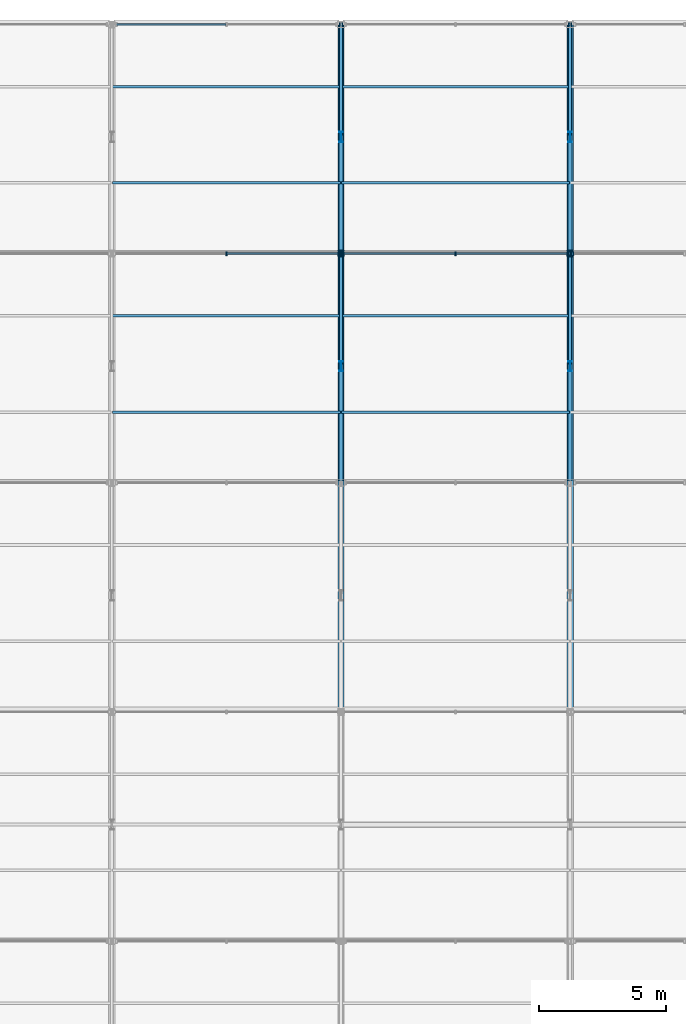
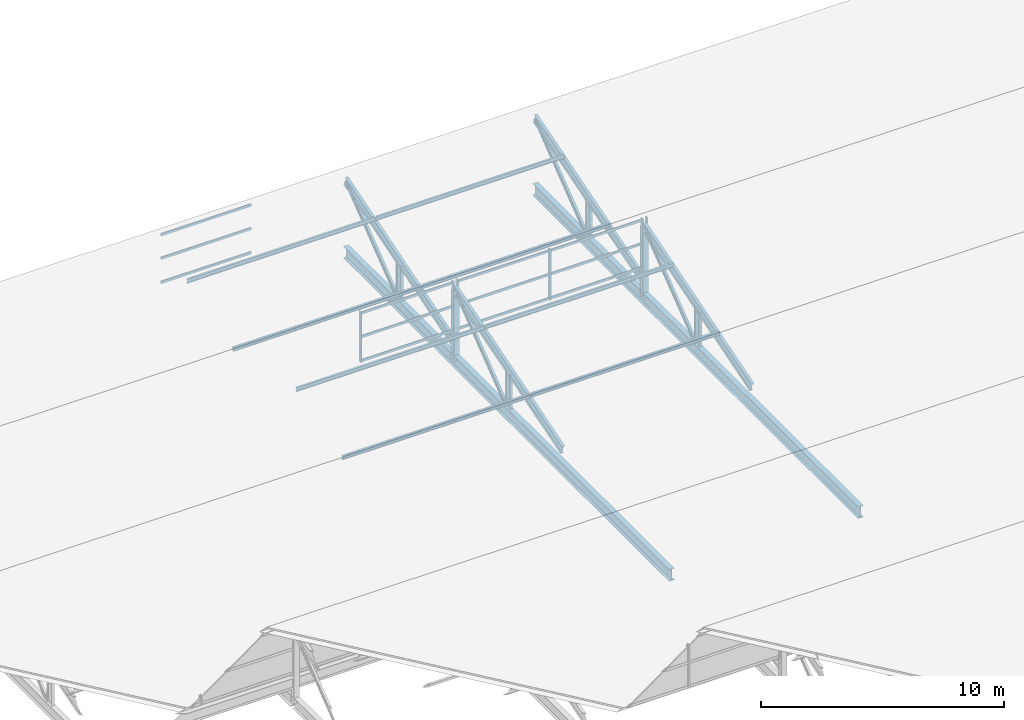
# One storey, part 94 of 163: 40 members, 2 beams, 4 elements without a shape of their own.
"""IFC4 building model written with IfcOpenShell, lengths in metres."""

from ifc_helpers import new_model, si_unit, direction, frame, origin, origin_2d, place, context, subcontext, project, spatial, rectangle, i_section, extrude, material, material_profile, profile_set, type_object, element, aggregate, save


model = new_model("IFC4")

# Units and contexts
model_context = context("Model", 3, precision=1e-05, world=origin(), true_north=direction((0.0, 1.0)))
body_context = subcontext(model_context, "Body", "Model", "MODEL_VIEW")
ifc_project = project(units=[si_unit("LENGTHUNIT", "METRE"), si_unit("AREAUNIT", "SQUARE_METRE"), si_unit("VOLUMEUNIT", "CUBIC_METRE"), si_unit("PLANEANGLEUNIT", "RADIAN"), si_unit("MASSUNIT", "GRAM", prefix="KILO")], contexts=[model_context])

# Site, building, storey
site_placement = place(None, origin())
site = spatial("IfcSite", under=ifc_project, at=site_placement, CompositionType="ELEMENT")
building_placement = place(site_placement, origin())
building = spatial("IfcBuilding", under=site, at=building_placement, Name="Tharagai Park Tramway Depot", CompositionType="ELEMENT")
storey_placement = place(building_placement, frame((0.0, 0.0, 8.39990234375)))
storey = spatial("IfcBuildingStorey", under=building, at=storey_placement, Name="L02", CompositionType="ELEMENT", Elevation=8.39990234375)

# Beams
ifc_material_1 = material(Name="Steel E350", Category="steel")
ifc_material_profile_1 = material_profile(ifc_material_1, i_section(OverallWidth=0.25, OverallDepth=0.60009765625, WebThickness=0.01171875, FlangeThickness=0.023681640625, FilletRadius=0.01708984375, at=origin_2d()), Name="ISWB 600")
ifc_profile_set_1 = profile_set([ifc_material_profile_1], Name="Steel E350")
beam_type = type_object("IfcBeamType", Name="BM-01", PredefinedType="BEAM", material=ifc_profile_set_1)
for number, where, z_axis, x_axis, name in (
    (1, (36.0, 117.080078125, -0.25), (0.0, 1.0, 0.0), (-1.0, 0.0, 0.0), "Sawtooth Truss Bottom Tie Girder BM-01"),
    (2, (45.0, 117.080078125, -0.25), (0.0, 1.0, 0.0), (-1.0, 0.0, 0.0), "Sawtooth Truss Bottom Tie Girder BM-01"),
):
    element("IfcBeam", number, at=place(storey_placement, frame(where, z_axis=z_axis, x_axis=x_axis)), inside=storey, type_object=beam_type, Name=name, PredefinedType="BEAM", context=body_context, shape_type="SweptSolid", body=[
        extrude(i_section(OverallWidth=0.25, OverallDepth=0.60009765625, WebThickness=0.01171875, FlangeThickness=0.023681640625, FilletRadius=0.01708984375, at=origin_2d()), origin(), (0.0, 0.0, 1.0), 26.83984375),
    ])

# Members
ifc_material_profile_2 = material_profile(ifc_material_1, i_section(OverallWidth=0.25, OverallDepth=0.25, WebThickness=0.0087890625, FlangeThickness=0.009765625, FilletRadius=0.010009765625, at=origin_2d()), Name="ISHB 250")
ifc_profile_set_2 = profile_set([ifc_material_profile_2], Name="Steel E350")
member_type_1 = type_object("IfcMemberType", Name="BR-01", PredefinedType="BRACE", material=ifc_profile_set_2)
for number, where, z_axis, x_axis, name in (
    (3, (36.0, 134.919921875, -0.25), (0.0, 0.0, 1.0), (1.0, 0.0, 0.0), "Sawtooth North Vertical Post BR-01"),
    (4, (45.0, 134.919921875, -0.25), (0.0, 0.0, 1.0), (1.0, 0.0, 0.0), "Sawtooth North Vertical Post BR-01"),
):
    element("IfcMember", number, at=place(storey_placement, frame(where, z_axis=z_axis, x_axis=x_axis)), inside=storey, type_object=member_type_1, Name=name, PredefinedType="BRACE", context=body_context, shape_type="SweptSolid", body=[
        extrude(i_section(OverallWidth=0.25, OverallDepth=0.25, WebThickness=0.0087890625, FlangeThickness=0.009765625, FilletRadius=0.010009765625, at=origin_2d()), origin(), (0.0, 0.0, 1.0), 3.55517578125),
    ])
ifc_material_profile_3 = material_profile(ifc_material_1, i_section(OverallWidth=0.110107421875, OverallDepth=0.22509765625, WebThickness=0.006591796875, FlangeThickness=0.01171875, FilletRadius=0.011962890625, at=origin_2d()), Name="ISMB 225")
ifc_profile_set_3 = profile_set([ifc_material_profile_3], Name="Steel E350")
member_type_2 = type_object("IfcMemberType", Name="BR-04", PredefinedType="BRACE", material=ifc_profile_set_3)
for number, where, z_axis, x_axis, name in (
    (5, (36.0, 130.64990234375, 0.0), (0.0, 0.790781596, 0.612098413188), (-1.0, 0.0, 0.0), "Sawtooth Truss Web Diagonal BR-04"),
    (6, (36.0, 139.64990234375, 0.0), (0.0, 0.790781596, 0.612098413188), (-1.0, 0.0, 0.0), "Sawtooth Truss Web Diagonal BR-04"),
    (7, (45.0, 130.64990234375, 0.0), (0.0, 0.790781596, 0.612098413188), (-1.0, 0.0, 0.0), "Sawtooth Truss Web Diagonal BR-04"),
    (8, (45.0, 139.64990234375, 0.0), (0.0, 0.790781596, 0.612098413188), (-1.0, 0.0, 0.0), "Sawtooth Truss Web Diagonal BR-04"),
):
    element("IfcMember", number, at=place(storey_placement, frame(where, z_axis=z_axis, x_axis=x_axis)), inside=storey, type_object=member_type_2, Name=name, PredefinedType="BRACE", context=body_context, shape_type="SweptSolid", body=[
        extrude(i_section(OverallWidth=0.110107421875, OverallDepth=0.22509765625, WebThickness=0.006591796875, FlangeThickness=0.01171875, FilletRadius=0.011962890625, at=origin_2d()), origin(), (0.0, 0.0, 1.0), 5.399658203125),
    ])

# Curtain wall, members
ifc_material_2 = material(Name="Anodised aluminium", Category="aluminium")
curtain_wall_type_1 = type_object("IfcCurtainWallType", Name="CW-04", PredefinedType="NOTDEFINED", material=ifc_material_2)
curtain_wall_1_placement = place(storey_placement, origin())
curtain_wall_1 = element("IfcCurtainWall", 9, at=curtain_wall_1_placement, inside=storey, type_object=curtain_wall_type_1, Name="Sawtooth North-Light Clerestory CW-04", PredefinedType="NOTDEFINED")
ifc_material_profile_4 = material_profile(ifc_material_2, rectangle(XDim=0.06494140625, YDim=0.1201171875, at=origin_2d()), Name="ALU 65x120")
ifc_profile_set_4 = profile_set([ifc_material_profile_4], Name="Anodised aluminium")
member_type_3 = type_object("IfcMemberType", Name="CM-01", PredefinedType="USERDEFINED", material=ifc_profile_set_4)
member_1_placement = place(storey_placement, frame((31.514892578125, 134.919921875, 1.26513671875), z_axis=(1.0, 0.0, 0.0), x_axis=(0.0, 1.0, 0.0)))
member_1 = element("IfcMember", 10, at=member_1_placement, type_object=member_type_3, Name="Sawtooth North-Light Clerestory Transom 2.1", ObjectType="TRANSOM", PredefinedType="USERDEFINED", context=body_context, shape_type="SweptSolid", body=[
    extrude(rectangle(XDim=0.06494140625, YDim=0.1201171875, at=origin_2d()), origin(), (0.0, 0.0, 1.0), 4.3701171875),
])
member_2_placement = place(storey_placement, frame((31.514892578125, 134.919921875, 2.4736328125), z_axis=(1.0, 0.0, 0.0), x_axis=(0.0, 1.0, 0.0)))
member_2 = element("IfcMember", 11, at=member_2_placement, type_object=member_type_3, Name="Sawtooth North-Light Clerestory Transom 2.2", ObjectType="TRANSOM", PredefinedType="USERDEFINED", context=body_context, shape_type="SweptSolid", body=[
    extrude(rectangle(XDim=0.06494140625, YDim=0.1201171875, at=origin_2d()), origin(), (0.0, 0.0, 1.0), 4.3701171875),
])
member_3_placement = place(storey_placement, frame((31.514892578125, 134.919921875, 3.662353515625), z_axis=(1.0, 0.0, 0.0), x_axis=(0.0, 1.0, 0.0)))
member_3 = element("IfcMember", 12, at=member_3_placement, type_object=member_type_3, Name="Sawtooth North-Light Clerestory Transom 2.3", ObjectType="TRANSOM", PredefinedType="USERDEFINED", context=body_context, shape_type="SweptSolid", body=[
    extrude(rectangle(XDim=0.06494140625, YDim=0.1201171875, at=origin_2d()), origin(), (0.0, 0.0, 1.0), 4.3701171875),
])

curtain_wall_2_placement = place(storey_placement, origin())
curtain_wall_2 = element("IfcCurtainWall", 13, at=curtain_wall_2_placement, inside=storey, type_object=curtain_wall_type_1, Name="Sawtooth North-Light Clerestory CW-04", PredefinedType="NOTDEFINED")
member_4_placement = place(storey_placement, frame((36.114990234375, 134.919921875, 1.26513671875), z_axis=(1.0, 0.0, 0.0), x_axis=(0.0, 1.0, 0.0)))
member_4 = element("IfcMember", 14, at=member_4_placement, type_object=member_type_3, Name="Sawtooth North-Light Clerestory Transom 1.1", ObjectType="TRANSOM", PredefinedType="USERDEFINED", context=body_context, shape_type="SweptSolid", body=[
    extrude(rectangle(XDim=0.06494140625, YDim=0.1201171875, at=origin_2d()), origin(), (0.0, 0.0, 1.0), 4.3701171875),
])
member_5_placement = place(storey_placement, frame((36.114990234375, 134.919921875, 2.4736328125), z_axis=(1.0, 0.0, 0.0), x_axis=(0.0, 1.0, 0.0)))
member_5 = element("IfcMember", 15, at=member_5_placement, type_object=member_type_3, Name="Sawtooth North-Light Clerestory Transom 1.2", ObjectType="TRANSOM", PredefinedType="USERDEFINED", context=body_context, shape_type="SweptSolid", body=[
    extrude(rectangle(XDim=0.06494140625, YDim=0.1201171875, at=origin_2d()), origin(), (0.0, 0.0, 1.0), 4.3701171875),
])
member_6_placement = place(storey_placement, frame((36.114990234375, 134.919921875, 3.662353515625), z_axis=(1.0, 0.0, 0.0), x_axis=(0.0, 1.0, 0.0)))
member_6 = element("IfcMember", 16, at=member_6_placement, type_object=member_type_3, Name="Sawtooth North-Light Clerestory Transom 1.3", ObjectType="TRANSOM", PredefinedType="USERDEFINED", context=body_context, shape_type="SweptSolid", body=[
    extrude(rectangle(XDim=0.06494140625, YDim=0.1201171875, at=origin_2d()), origin(), (0.0, 0.0, 1.0), 4.3701171875),
])
member_7_placement = place(storey_placement, frame((40.514892578125, 134.919921875, 1.26513671875), z_axis=(1.0, 0.0, 0.0), x_axis=(0.0, 1.0, 0.0)))
member_7 = element("IfcMember", 17, at=member_7_placement, type_object=member_type_3, Name="Sawtooth North-Light Clerestory Transom 2.1", ObjectType="TRANSOM", PredefinedType="USERDEFINED", context=body_context, shape_type="SweptSolid", body=[
    extrude(rectangle(XDim=0.06494140625, YDim=0.1201171875, at=origin_2d()), origin(), (0.0, 0.0, 1.0), 4.3701171875),
])
member_8_placement = place(storey_placement, frame((40.514892578125, 134.919921875, 2.4736328125), z_axis=(1.0, 0.0, 0.0), x_axis=(0.0, 1.0, 0.0)))
member_8 = element("IfcMember", 18, at=member_8_placement, type_object=member_type_3, Name="Sawtooth North-Light Clerestory Transom 2.2", ObjectType="TRANSOM", PredefinedType="USERDEFINED", context=body_context, shape_type="SweptSolid", body=[
    extrude(rectangle(XDim=0.06494140625, YDim=0.1201171875, at=origin_2d()), origin(), (0.0, 0.0, 1.0), 4.3701171875),
])
member_9_placement = place(storey_placement, frame((40.514892578125, 134.919921875, 3.662353515625), z_axis=(1.0, 0.0, 0.0), x_axis=(0.0, 1.0, 0.0)))
member_9 = element("IfcMember", 19, at=member_9_placement, type_object=member_type_3, Name="Sawtooth North-Light Clerestory Transom 2.3", ObjectType="TRANSOM", PredefinedType="USERDEFINED", context=body_context, shape_type="SweptSolid", body=[
    extrude(rectangle(XDim=0.06494140625, YDim=0.1201171875, at=origin_2d()), origin(), (0.0, 0.0, 1.0), 4.3701171875),
])

curtain_wall_type_2 = type_object("IfcCurtainWallType", Name="CW-03", PredefinedType="NOTDEFINED", material=ifc_material_2)
curtain_wall_3_placement = place(storey_placement, origin())
curtain_wall_3 = element("IfcCurtainWall", 20, at=curtain_wall_3_placement, inside=storey, type_object=curtain_wall_type_2, Name="Sawtooth North-Light Clerestory CW-03", PredefinedType="NOTDEFINED")
member_10_placement = place(storey_placement, frame((27.195068359375, 143.919921875, 1.26513671875), z_axis=(1.0, 0.0, 0.0), x_axis=(0.0, 1.0, 0.0)))
member_10 = element("IfcMember", 21, at=member_10_placement, type_object=member_type_3, Name="Sawtooth North-Light Clerestory Transom 1.1", ObjectType="TRANSOM", PredefinedType="USERDEFINED", context=body_context, shape_type="SweptSolid", body=[
    extrude(rectangle(XDim=0.06494140625, YDim=0.1201171875, at=origin_2d()), origin(), (0.0, 0.0, 1.0), 4.2900390625),
])
member_11_placement = place(storey_placement, frame((27.195068359375, 143.919921875, 2.4736328125), z_axis=(1.0, 0.0, 0.0), x_axis=(0.0, 1.0, 0.0)))
member_11 = element("IfcMember", 22, at=member_11_placement, type_object=member_type_3, Name="Sawtooth North-Light Clerestory Transom 1.2", ObjectType="TRANSOM", PredefinedType="USERDEFINED", context=body_context, shape_type="SweptSolid", body=[
    extrude(rectangle(XDim=0.06494140625, YDim=0.1201171875, at=origin_2d()), origin(), (0.0, 0.0, 1.0), 4.2900390625),
])
member_12_placement = place(storey_placement, frame((27.195068359375, 143.919921875, 3.662353515625), z_axis=(1.0, 0.0, 0.0), x_axis=(0.0, 1.0, 0.0)))
member_12 = element("IfcMember", 23, at=member_12_placement, type_object=member_type_3, Name="Sawtooth North-Light Clerestory Transom 1.3", ObjectType="TRANSOM", PredefinedType="USERDEFINED", context=body_context, shape_type="SweptSolid", body=[
    extrude(rectangle(XDim=0.06494140625, YDim=0.1201171875, at=origin_2d()), origin(), (0.0, 0.0, 1.0), 4.2900390625),
])
aggregate(curtain_wall_3, [member_10, member_11, member_12])

# Member
ifc_material_profile_5 = material_profile(ifc_material_2, rectangle(XDim=0.06494140625, YDim=0.14990234375, at=origin_2d()), Name="ALU 65x150")
ifc_profile_set_5 = profile_set([ifc_material_profile_5], Name="Anodised aluminium")
member_type_4 = type_object("IfcMemberType", Name="CM-03", PredefinedType="MULLION", material=ifc_profile_set_5)
member_13_placement = place(storey_placement, frame((31.5, 134.919921875, 1.2001953125), z_axis=(0.0, 0.0, 1.0), x_axis=(1.0, 0.0, 0.0)))
member_13 = element("IfcMember", 24, at=member_13_placement, type_object=member_type_4, Name="Sawtooth North-Light Clerestory Mullion 2", PredefinedType="MULLION", context=body_context, shape_type="SweptSolid", body=[
    extrude(rectangle(XDim=0.06494140625, YDim=0.14990234375, at=origin_2d()), origin(), (0.0, 0.0, 1.0), 2.547119140625),
])

member_14_placement = place(storey_placement, frame((35.89990234375, 134.919921875, 1.2001953125), z_axis=(0.0, 0.0, 1.0), x_axis=(1.0, 0.0, 0.0)))
member_14 = element("IfcMember", 25, at=member_14_placement, type_object=member_type_4, Name="Sawtooth North-Light Clerestory Mullion 3", PredefinedType="MULLION", context=body_context, shape_type="SweptSolid", body=[
    extrude(rectangle(XDim=0.06494140625, YDim=0.14990234375, at=origin_2d()), origin(), (0.0, 0.0, 1.0), 2.547119140625),
])

aggregate(curtain_wall_1, [member_13, member_14, member_1, member_2, member_3])

member_15_placement = place(storey_placement, frame((36.10009765625, 134.919921875, 1.2001953125), z_axis=(0.0, 0.0, 1.0), x_axis=(1.0, 0.0, 0.0)))
member_15 = element("IfcMember", 26, at=member_15_placement, type_object=member_type_4, Name="Sawtooth North-Light Clerestory Mullion 1", PredefinedType="MULLION", context=body_context, shape_type="SweptSolid", body=[
    extrude(rectangle(XDim=0.06494140625, YDim=0.14990234375, at=origin_2d()), origin(), (0.0, 0.0, 1.0), 2.547119140625),
])

member_16_placement = place(storey_placement, frame((40.5, 134.919921875, 1.2001953125), z_axis=(0.0, 0.0, 1.0), x_axis=(1.0, 0.0, 0.0)))
member_16 = element("IfcMember", 27, at=member_16_placement, type_object=member_type_4, Name="Sawtooth North-Light Clerestory Mullion 2", PredefinedType="MULLION", context=body_context, shape_type="SweptSolid", body=[
    extrude(rectangle(XDim=0.06494140625, YDim=0.14990234375, at=origin_2d()), origin(), (0.0, 0.0, 1.0), 2.547119140625),
])

member_17_placement = place(storey_placement, frame((44.89990234375, 134.919921875, 1.2001953125), z_axis=(0.0, 0.0, 1.0), x_axis=(1.0, 0.0, 0.0)))
member_17 = element("IfcMember", 28, at=member_17_placement, type_object=member_type_4, Name="Sawtooth North-Light Clerestory Mullion 3", PredefinedType="MULLION", context=body_context, shape_type="SweptSolid", body=[
    extrude(rectangle(XDim=0.06494140625, YDim=0.14990234375, at=origin_2d()), origin(), (0.0, 0.0, 1.0), 2.547119140625),
])

aggregate(curtain_wall_2, [member_15, member_16, member_17, member_4, member_5, member_6, member_7, member_8, member_9])

# Curtain wall, member
curtain_wall_4_placement = place(storey_placement, origin())
curtain_wall_4 = element("IfcCurtainWall", 29, at=curtain_wall_4_placement, inside=storey, type_object=curtain_wall_type_1, Name="Sawtooth North-Light Clerestory CW-04", PredefinedType="NOTDEFINED")
member_18_placement = place(storey_placement, frame((45.10009765625, 134.919921875, 1.2001953125), z_axis=(0.0, 0.0, 1.0), x_axis=(1.0, 0.0, 0.0)))
member_18 = element("IfcMember", 30, at=member_18_placement, type_object=member_type_4, Name="Sawtooth North-Light Clerestory Mullion 1", PredefinedType="MULLION", context=body_context, shape_type="SweptSolid", body=[
    extrude(rectangle(XDim=0.06494140625, YDim=0.14990234375, at=origin_2d()), origin(), (0.0, 0.0, 1.0), 2.547119140625),
])
aggregate(curtain_wall_4, [member_18])

# Members
ifc_material_3 = material(Name="Steel E250", Category="steel")
ifc_material_profile_6 = material_profile(ifc_material_3, i_section(OverallWidth=0.10009765625, OverallDepth=0.199951171875, WebThickness=0.00537109375, FlangeThickness=0.00732421875, FilletRadius=0.009033203125, at=origin_2d()), Name="ISLB 200")
ifc_profile_set_6 = profile_set([ifc_material_profile_6], Name="Steel E250")
member_type_5 = type_object("IfcMemberType", Name="PR-03", PredefinedType="PURLIN", material=ifc_profile_set_6)
for number, where, z_axis, x_axis, name in (
    (31, (27.02001953125, 137.699951171875, 1.733154296875), (1.0, 0.0, 0.0), (0.0, 1.0, 0.0), "Sawtooth Roof Purlin PR-03"),
    (32, (27.02001953125, 141.47998046875, 2.87451171875), (1.0, 0.0, 0.0), (0.0, 1.0, 0.0), "Sawtooth Roof Purlin PR-03"),
    (33, (36.02001953125, 137.699951171875, 1.733154296875), (1.0, 0.0, 0.0), (0.0, 1.0, 0.0), "Sawtooth Roof Purlin PR-03"),
    (34, (36.02001953125, 141.47998046875, 2.87451171875), (1.0, 0.0, 0.0), (0.0, 1.0, 0.0), "Sawtooth Roof Purlin PR-03"),
):
    element("IfcMember", number, at=place(storey_placement, frame(where, z_axis=z_axis, x_axis=x_axis)), inside=storey, type_object=member_type_5, Name=name, PredefinedType="PURLIN", context=body_context, shape_type="SweptSolid", body=[
        extrude(i_section(OverallWidth=0.10009765625, OverallDepth=0.199951171875, WebThickness=0.00537109375, FlangeThickness=0.00732421875, FilletRadius=0.009033203125, at=origin_2d()), origin(), (0.0, 0.0, 1.0), 8.9599609375),
    ])
ifc_material_profile_7 = material_profile(ifc_material_3, i_section(OverallWidth=0.10009765625, OverallDepth=0.199951171875, WebThickness=0.005615234375, FlangeThickness=0.0107421875, FilletRadius=0.010986328125, at=origin_2d()), Name="ISMB 200")
ifc_profile_set_7 = profile_set([ifc_material_profile_7], Name="Steel E250")
member_type_6 = type_object("IfcMemberType", Name="PR-04", PredefinedType="PURLIN", material=ifc_profile_set_7)
for number, where, z_axis, x_axis, name in (
    (35, (27.02001953125, 128.699951171875, 1.733154296875), (1.0, 0.0, 0.0), (0.0, 1.0, 0.0), "Sawtooth Roof Purlin PR-04"),
    (36, (27.02001953125, 132.47998046875, 2.87451171875), (1.0, 0.0, 0.0), (0.0, 1.0, 0.0), "Sawtooth Roof Purlin PR-04"),
    (37, (36.02001953125, 128.699951171875, 1.733154296875), (1.0, 0.0, 0.0), (0.0, 1.0, 0.0), "Sawtooth Roof Purlin PR-04"),
    (38, (36.02001953125, 132.47998046875, 2.87451171875), (1.0, 0.0, 0.0), (0.0, 1.0, 0.0), "Sawtooth Roof Purlin PR-04"),
):
    element("IfcMember", number, at=place(storey_placement, frame(where, z_axis=z_axis, x_axis=x_axis)), inside=storey, type_object=member_type_6, Name=name, PredefinedType="PURLIN", context=body_context, shape_type="SweptSolid", body=[
        extrude(i_section(OverallWidth=0.10009765625, OverallDepth=0.199951171875, WebThickness=0.005615234375, FlangeThickness=0.0107421875, FilletRadius=0.010986328125, at=origin_2d()), origin(), (0.0, 0.0, 1.0), 8.9599609375),
    ])
ifc_material_profile_8 = material_profile(ifc_material_1, i_section(OverallWidth=0.14990234375, OverallDepth=0.449951171875, WebThickness=0.009521484375, FlangeThickness=0.017333984375, FilletRadius=0.014892578125, at=origin_2d()), Name="ISMB 450")
ifc_profile_set_8 = profile_set([ifc_material_profile_8], Name="Steel E350")
member_type_7 = type_object("IfcMemberType", Name="TC-05", PredefinedType="CHORD", material=ifc_profile_set_8)
for number, where, z_axis, x_axis, name in (
    (39, (36.0, 126.06005859375, 0.587890625), (0.0, 0.956231486327, 0.29261125159), (-1.0, 0.0, 0.0), "Sawtooth Top Chord TC-05"),
    (40, (36.0, 135.06005859375, 0.587890625), (0.0, 0.956231486327, 0.29261125159), (-1.0, 0.0, 0.0), "Sawtooth Top Chord TC-05"),
    (41, (45.0, 126.06005859375, 0.587890625), (0.0, 0.956231486327, 0.29261125159), (-1.0, 0.0, 0.0), "Sawtooth Top Chord TC-05"),
    (42, (45.0, 135.06005859375, 0.587890625), (0.0, 0.956231486327, 0.29261125159), (-1.0, 0.0, 0.0), "Sawtooth Top Chord TC-05"),
):
    element("IfcMember", number, at=place(storey_placement, frame(where, z_axis=z_axis, x_axis=x_axis)), inside=storey, type_object=member_type_7, Name=name, PredefinedType="CHORD", context=body_context, shape_type="SweptSolid", body=[
        extrude(i_section(OverallWidth=0.14990234375, OverallDepth=0.449951171875, WebThickness=0.009521484375, FlangeThickness=0.017333984375, FilletRadius=0.014892578125, at=origin_2d()), origin(), (0.0, 0.0, 1.0), 9.286376953125),
    ])
ifc_material_profile_9 = material_profile(ifc_material_1, i_section(OverallWidth=0.139892578125, OverallDepth=0.39990234375, WebThickness=0.0087890625, FlangeThickness=0.01611328125, FilletRadius=0.013916015625, at=origin_2d()), Name="ISMB 400")
ifc_profile_set_9 = profile_set([ifc_material_profile_9], Name="Steel E350")
member_type_8 = type_object("IfcMemberType", Name="TC-06", PredefinedType="CHORD", material=ifc_profile_set_9)
for number, where, z_axis, x_axis, name in (
    (43, (36.0, 130.5, -0.0498046875), (0.0, 0.0, 1.0), (1.0, 0.0, 0.0), "Sawtooth Mid-Tooth Strut TC-06"),
    (44, (36.0, 139.5, -0.0498046875), (0.0, 0.0, 1.0), (1.0, 0.0, 0.0), "Sawtooth Mid-Tooth Strut TC-06"),
    (45, (45.0, 130.5, -0.0498046875), (0.0, 0.0, 1.0), (1.0, 0.0, 0.0), "Sawtooth Mid-Tooth Strut TC-06"),
    (46, (45.0, 139.5, -0.0498046875), (0.0, 0.0, 1.0), (1.0, 0.0, 0.0), "Sawtooth Mid-Tooth Strut TC-06"),
):
    element("IfcMember", number, at=place(storey_placement, frame(where, z_axis=z_axis, x_axis=x_axis)), inside=storey, type_object=member_type_8, Name=name, PredefinedType="CHORD", context=body_context, shape_type="SweptSolid", body=[
        extrude(i_section(OverallWidth=0.139892578125, OverallDepth=0.39990234375, WebThickness=0.0087890625, FlangeThickness=0.01611328125, FilletRadius=0.013916015625, at=origin_2d()), origin(), (0.0, 0.0, 1.0), 1.846435546875),
    ])

save(model, "model.ifc")
